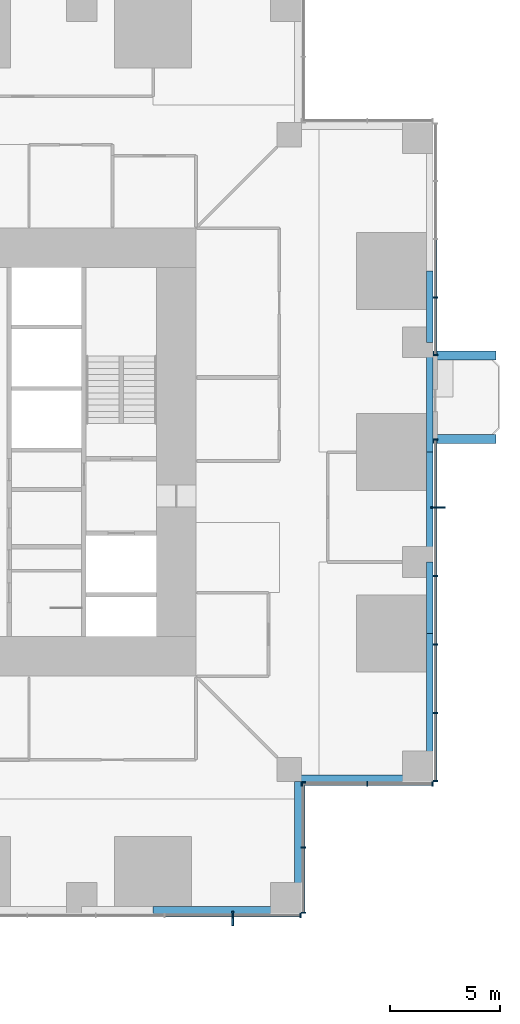
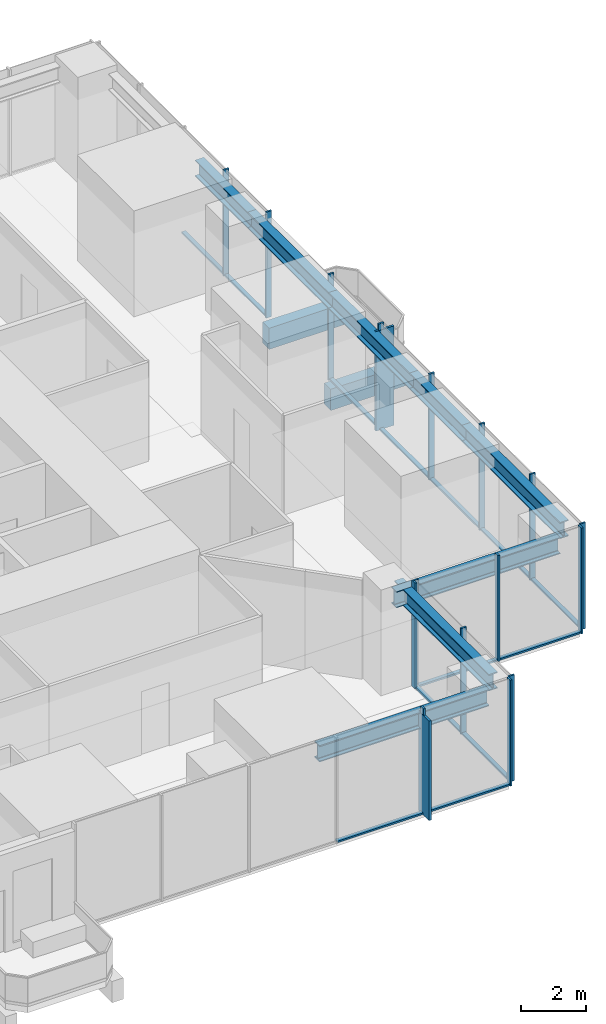
# One storey, part 4 of 17: 31 members, 10 beams, 5 elements without a shape of their own.
"""IFC4 building model written with IfcOpenShell, lengths in metres."""

from ifc_helpers import new_model, si_unit, direction, frame, origin, origin_2d, place, context, subcontext, project, spatial, rectangle, i_section, extrude, material, material_profile, profile_set, type_object, element, aggregate, save


model = new_model("IFC4")

# Units and contexts
model_context = context("Model", 3, precision=1e-05, world=origin(), true_north=direction((0.0, 1.0)))
body_context = subcontext(model_context, "Body", "Model", "MODEL_VIEW")
ifc_project = project(units=[si_unit("LENGTHUNIT", "METRE"), si_unit("AREAUNIT", "SQUARE_METRE"), si_unit("VOLUMEUNIT", "CUBIC_METRE"), si_unit("PLANEANGLEUNIT", "RADIAN"), si_unit("MASSUNIT", "GRAM", prefix="KILO")], contexts=[model_context])

# Site, building, storey
site_placement = place(None, origin())
site = spatial("IfcSite", under=ifc_project, at=site_placement, CompositionType="ELEMENT")
building_placement = place(site_placement, origin())
building = spatial("IfcBuilding", under=site, at=building_placement, Name="Svetlomir Tower", CompositionType="ELEMENT")
storey_placement = place(building_placement, frame((0.0, 0.0, 70.5)))
storey = spatial("IfcBuildingStorey", under=building, at=storey_placement, Name="L16", CompositionType="ELEMENT", Elevation=70.5)

# Beams
ifc_material_1 = material(Name="Concrete C60/75", Category="concrete")
ifc_material_profile_1 = material_profile(ifc_material_1, rectangle(XDim=0.39990234375, YDim=0.800048828125, at=origin_2d()), Name="RC 400x800")
ifc_profile_set_1 = profile_set([ifc_material_profile_1], Name="Concrete C60/75")
beam_type_1 = type_object("IfcBeamType", Name="BALCONY RIB RC 400x800", PredefinedType="BEAM", material=ifc_profile_set_1)
for number, where, z_axis, x_axis, name in (
    (1, (42.0, 21.60009765625, -0.64990234375), (1.0, 0.0, 0.0), (0.0, 1.0, 0.0), "Balcony rib E 1 L16"),
    (2, (42.0, 25.39990234375, -0.64990234375), (1.0, 0.0, 0.0), (0.0, 1.0, 0.0), "Balcony rib E 2 L16"),
):
    element("IfcBeam", number, at=place(storey_placement, frame(where, z_axis=z_axis, x_axis=x_axis)), inside=storey, type_object=beam_type_1, Name=name, PredefinedType="BEAM", context=body_context, shape_type="SweptSolid", body=[
        extrude(rectangle(XDim=0.39990234375, YDim=0.800048828125, at=origin_2d()), origin(), (0.0, 0.0, 1.0), 2.85009765625),
    ])

# Curtain wall, member
ifc_material_2 = material(Name="Bronze anodised aluminium curtain wall", Category="aluminium")
curtain_wall_type = type_object("IfcCurtainWallType", Name="CURTAIN WALL CW1 TOWER OFFICE", PredefinedType="NOTDEFINED", material=ifc_material_2)
curtain_wall_1_placement = place(storey_placement, origin())
curtain_wall_1 = element("IfcCurtainWall", 3, at=curtain_wall_1_placement, inside=storey, type_object=curtain_wall_type, Name="Curtain wall CW1 L16", PredefinedType="NOTDEFINED")
ifc_material_3 = material(Name="Bronze anodised aluminium", Category="aluminium")
ifc_material_profile_2 = material_profile(ifc_material_3, rectangle(XDim=0.080078125, YDim=0.64990234375, at=origin_2d()), Name="FIN 80x650")
ifc_profile_set_2 = profile_set([ifc_material_profile_2], Name="Bronze anodised aluminium 6063-T6")
member_type_1 = type_object("IfcMemberType", Name="BRONZE FIN 80x650", PredefinedType="USERDEFINED", material=ifc_profile_set_2)
member_1_placement = place(storey_placement, frame((32.8798828125, -0.22509765625, 0.0), z_axis=(0.0, 0.0, 1.0), x_axis=(1.0, 0.0, 0.0)))
member_1 = element("IfcMember", 4, at=member_1_placement, type_object=member_type_1, Name="Bronze fin L16", ObjectType="FIN", PredefinedType="USERDEFINED", context=body_context, shape_type="SweptSolid", body=[
    extrude(rectangle(XDim=0.080078125, YDim=0.64990234375, at=origin_2d()), origin(), (0.0, 0.0, 1.0), 3.75),
])

curtain_wall_2_placement = place(storey_placement, origin())
curtain_wall_2 = element("IfcCurtainWall", 5, at=curtain_wall_2_placement, inside=storey, type_object=curtain_wall_type, Name="Curtain wall CW1 L16", PredefinedType="NOTDEFINED")
member_2_placement = place(storey_placement, frame((42.22509765625, 18.47998046875, 0.0), z_axis=(0.0, 0.0, 1.0), x_axis=(0.0, 1.0, 0.0)))
member_2 = element("IfcMember", 6, at=member_2_placement, type_object=member_type_1, Name="Bronze fin L16", ObjectType="FIN", PredefinedType="USERDEFINED", context=body_context, shape_type="SweptSolid", body=[
    extrude(rectangle(XDim=0.080078125, YDim=0.64990234375, at=origin_2d()), origin(), (0.0, 0.0, 1.0), 3.75),
])

# Member
ifc_material_4 = material(Name="Bronze anodised aluminium", Category="aluminium")
ifc_material_profile_3 = material_profile(ifc_material_4, rectangle(XDim=0.06494140625, YDim=0.199951171875, at=origin_2d()), Name="AL 65x200")
ifc_profile_set_3 = profile_set([ifc_material_profile_3], Name="Bronze anodised aluminium 6063-T6")
member_type_2 = type_object("IfcMemberType", Name="CW1 MULLION 65x200", PredefinedType="MULLION", material=ifc_profile_set_3)
member_3_placement = place(storey_placement, frame((32.8798828125, -0.10009765625, 0.0), z_axis=(0.0, 0.0, 1.0), x_axis=(1.0, 0.0, 0.0)))
member_3 = element("IfcMember", 7, at=member_3_placement, type_object=member_type_2, Name="CW1 mullion 5", PredefinedType="MULLION", context=body_context, shape_type="SweptSolid", body=[
    extrude(rectangle(XDim=0.06494140625, YDim=0.199951171875, at=origin_2d()), origin(), (0.0, 0.0, 1.0), 4.0),
])

member_4_placement = place(storey_placement, frame((35.967529296875, -0.10009765625, 0.0), z_axis=(0.0, 0.0, 1.0), x_axis=(1.0, 0.0, 0.0)))
member_4 = element("IfcMember", 8, at=member_4_placement, type_object=member_type_2, Name="CW1 mullion 6", PredefinedType="MULLION", context=body_context, shape_type="SweptSolid", body=[
    extrude(rectangle(XDim=0.06494140625, YDim=0.199951171875, at=origin_2d()), origin(), (0.0, 0.0, 1.0), 4.0),
])

# Curtain wall, members
curtain_wall_3_placement = place(storey_placement, origin())
curtain_wall_3 = element("IfcCurtainWall", 9, at=curtain_wall_3_placement, inside=storey, type_object=curtain_wall_type, Name="Curtain wall CW1 L16", PredefinedType="NOTDEFINED")
member_5_placement = place(storey_placement, frame((36.10009765625, 0.032470703125, 0.0), z_axis=(0.0, 0.0, 1.0), x_axis=(0.0, 1.0, 0.0)))
member_5 = element("IfcMember", 10, at=member_5_placement, type_object=member_type_2, Name="CW1 mullion 1", PredefinedType="MULLION", context=body_context, shape_type="SweptSolid", body=[
    extrude(rectangle(XDim=0.06494140625, YDim=0.199951171875, at=origin_2d()), origin(), (0.0, 0.0, 1.0), 4.0),
])
member_6_placement = place(storey_placement, frame((36.10009765625, 3.0, 0.0), z_axis=(0.0, 0.0, 1.0), x_axis=(0.0, 1.0, 0.0)))
member_6 = element("IfcMember", 11, at=member_6_placement, type_object=member_type_2, Name="CW1 mullion 2", PredefinedType="MULLION", context=body_context, shape_type="SweptSolid", body=[
    extrude(rectangle(XDim=0.06494140625, YDim=0.199951171875, at=origin_2d()), origin(), (0.0, 0.0, 1.0), 4.0),
])
member_7_placement = place(storey_placement, frame((36.10009765625, 5.967529296875, 0.0), z_axis=(0.0, 0.0, 1.0), x_axis=(0.0, 1.0, 0.0)))
member_7 = element("IfcMember", 12, at=member_7_placement, type_object=member_type_2, Name="CW1 mullion 3", PredefinedType="MULLION", context=body_context, shape_type="SweptSolid", body=[
    extrude(rectangle(XDim=0.06494140625, YDim=0.199951171875, at=origin_2d()), origin(), (0.0, 0.0, 1.0), 4.0),
])

curtain_wall_4_placement = place(storey_placement, origin())
curtain_wall_4 = element("IfcCurtainWall", 13, at=curtain_wall_4_placement, inside=storey, type_object=curtain_wall_type, Name="Curtain wall CW1 L16", PredefinedType="NOTDEFINED")
member_8_placement = place(storey_placement, frame((36.032470703125, 5.89990234375, 0.0), z_axis=(0.0, 0.0, 1.0), x_axis=(1.0, 0.0, 0.0)))
member_8 = element("IfcMember", 14, at=member_8_placement, type_object=member_type_2, Name="CW1 mullion 1", PredefinedType="MULLION", context=body_context, shape_type="SweptSolid", body=[
    extrude(rectangle(XDim=0.06494140625, YDim=0.199951171875, at=origin_2d()), origin(), (0.0, 0.0, 1.0), 4.0),
])
member_9_placement = place(storey_placement, frame((39.0, 5.89990234375, 0.0), z_axis=(0.0, 0.0, 1.0), x_axis=(1.0, 0.0, 0.0)))
member_9 = element("IfcMember", 15, at=member_9_placement, type_object=member_type_2, Name="CW1 mullion 2", PredefinedType="MULLION", context=body_context, shape_type="SweptSolid", body=[
    extrude(rectangle(XDim=0.06494140625, YDim=0.199951171875, at=origin_2d()), origin(), (0.0, 0.0, 1.0), 4.0),
])
member_10_placement = place(storey_placement, frame((41.967529296875, 5.89990234375, 0.0), z_axis=(0.0, 0.0, 1.0), x_axis=(1.0, 0.0, 0.0)))
member_10 = element("IfcMember", 16, at=member_10_placement, type_object=member_type_2, Name="CW1 mullion 3", PredefinedType="MULLION", context=body_context, shape_type="SweptSolid", body=[
    extrude(rectangle(XDim=0.06494140625, YDim=0.199951171875, at=origin_2d()), origin(), (0.0, 0.0, 1.0), 4.0),
])

# Member
member_11_placement = place(storey_placement, frame((42.10009765625, 6.032470703125, 0.0), z_axis=(0.0, 0.0, 1.0), x_axis=(0.0, 1.0, 0.0)))
member_11 = element("IfcMember", 17, at=member_11_placement, type_object=member_type_2, Name="CW1 mullion 1", PredefinedType="MULLION", context=body_context, shape_type="SweptSolid", body=[
    extrude(rectangle(XDim=0.06494140625, YDim=0.199951171875, at=origin_2d()), origin(), (0.0, 0.0, 1.0), 4.0),
])

member_12_placement = place(storey_placement, frame((42.10009765625, 9.1201171875, 0.0), z_axis=(0.0, 0.0, 1.0), x_axis=(0.0, 1.0, 0.0)))
member_12 = element("IfcMember", 18, at=member_12_placement, type_object=member_type_2, Name="CW1 mullion 2", PredefinedType="MULLION", context=body_context, shape_type="SweptSolid", body=[
    extrude(rectangle(XDim=0.06494140625, YDim=0.199951171875, at=origin_2d()), origin(), (0.0, 0.0, 1.0), 4.0),
])

member_13_placement = place(storey_placement, frame((42.10009765625, 12.239990234375, 0.0), z_axis=(0.0, 0.0, 1.0), x_axis=(0.0, 1.0, 0.0)))
member_13 = element("IfcMember", 19, at=member_13_placement, type_object=member_type_2, Name="CW1 mullion 3", PredefinedType="MULLION", context=body_context, shape_type="SweptSolid", body=[
    extrude(rectangle(XDim=0.06494140625, YDim=0.199951171875, at=origin_2d()), origin(), (0.0, 0.0, 1.0), 4.0),
])

member_14_placement = place(storey_placement, frame((42.10009765625, 15.360107421875, 0.0), z_axis=(0.0, 0.0, 1.0), x_axis=(0.0, 1.0, 0.0)))
member_14 = element("IfcMember", 20, at=member_14_placement, type_object=member_type_2, Name="CW1 mullion 4", PredefinedType="MULLION", context=body_context, shape_type="SweptSolid", body=[
    extrude(rectangle(XDim=0.06494140625, YDim=0.199951171875, at=origin_2d()), origin(), (0.0, 0.0, 1.0), 4.0),
])

member_15_placement = place(storey_placement, frame((42.10009765625, 18.47998046875, 0.0), z_axis=(0.0, 0.0, 1.0), x_axis=(0.0, 1.0, 0.0)))
member_15 = element("IfcMember", 21, at=member_15_placement, type_object=member_type_2, Name="CW1 mullion 5", PredefinedType="MULLION", context=body_context, shape_type="SweptSolid", body=[
    extrude(rectangle(XDim=0.06494140625, YDim=0.199951171875, at=origin_2d()), origin(), (0.0, 0.0, 1.0), 4.0),
])

member_16_placement = place(storey_placement, frame((42.10009765625, 21.5673828125, 0.0), z_axis=(0.0, 0.0, 1.0), x_axis=(0.0, 1.0, 0.0)))
member_16 = element("IfcMember", 22, at=member_16_placement, type_object=member_type_2, Name="CW1 mullion 6", PredefinedType="MULLION", context=body_context, shape_type="SweptSolid", body=[
    extrude(rectangle(XDim=0.06494140625, YDim=0.199951171875, at=origin_2d()), origin(), (0.0, 0.0, 1.0), 4.0),
])

# Curtain wall, members
curtain_wall_5_placement = place(storey_placement, origin())
curtain_wall_5 = element("IfcCurtainWall", 23, at=curtain_wall_5_placement, inside=storey, type_object=curtain_wall_type, Name="Curtain wall CW1 L16", PredefinedType="NOTDEFINED")
member_17_placement = place(storey_placement, frame((42.10009765625, 25.4326171875, 0.0), z_axis=(0.0, 0.0, 1.0), x_axis=(0.0, 1.0, 0.0)))
member_17 = element("IfcMember", 24, at=member_17_placement, type_object=member_type_2, Name="CW1 mullion 1", PredefinedType="MULLION", context=body_context, shape_type="SweptSolid", body=[
    extrude(rectangle(XDim=0.06494140625, YDim=0.199951171875, at=origin_2d()), origin(), (0.0, 0.0, 1.0), 4.0),
])
member_18_placement = place(storey_placement, frame((42.10009765625, 28.050048828125, 0.0), z_axis=(0.0, 0.0, 1.0), x_axis=(0.0, 1.0, 0.0)))
member_18 = element("IfcMember", 25, at=member_18_placement, type_object=member_type_2, Name="CW1 mullion 2", PredefinedType="MULLION", context=body_context, shape_type="SweptSolid", body=[
    extrude(rectangle(XDim=0.06494140625, YDim=0.199951171875, at=origin_2d()), origin(), (0.0, 0.0, 1.0), 4.0),
])

# Member
ifc_material_5 = material(Name="Bronze anodised aluminium", Category="aluminium")
ifc_material_profile_4 = material_profile(ifc_material_5, rectangle(XDim=0.139892578125, YDim=0.06494140625, at=origin_2d()), Name="AL 140x65")
ifc_profile_set_4 = profile_set([ifc_material_profile_4], Name="Bronze anodised aluminium 6063-T6")
member_type_3 = type_object("IfcMemberType", Name="CW1 TRANSOM 65x140", PredefinedType="USERDEFINED", material=ifc_profile_set_4)
member_19_placement = place(storey_placement, frame((29.79248046875, -0.10009765625, 0.032470703125), z_axis=(1.0, 0.0, 0.0), x_axis=(0.0, 1.0, 0.0)))
member_19 = element("IfcMember", 26, at=member_19_placement, type_object=member_type_3, Name="CW1 transom 4.1", ObjectType="TRANSOM", PredefinedType="USERDEFINED", context=body_context, shape_type="SweptSolid", body=[
    extrude(rectangle(XDim=0.139892578125, YDim=0.06494140625, at=origin_2d()), origin(), (0.0, 0.0, 1.0), 3.054931640625),
])

member_20_placement = place(storey_placement, frame((32.91259765625, -0.10009765625, 0.032470703125), z_axis=(1.0, 0.0, 0.0), x_axis=(0.0, 1.0, 0.0)))
member_20 = element("IfcMember", 27, at=member_20_placement, type_object=member_type_3, Name="CW1 transom 5.1", ObjectType="TRANSOM", PredefinedType="USERDEFINED", context=body_context, shape_type="SweptSolid", body=[
    extrude(rectangle(XDim=0.139892578125, YDim=0.06494140625, at=origin_2d()), origin(), (0.0, 0.0, 1.0), 3.0224609375),
])

aggregate(curtain_wall_1, [member_3, member_4, member_19, member_20, member_1])

member_21_placement = place(storey_placement, frame((36.10009765625, 0.06494140625, 0.032470703125), z_axis=(0.0, 1.0, 0.0), x_axis=(-1.0, 0.0, 0.0)))
member_21 = element("IfcMember", 28, at=member_21_placement, type_object=member_type_3, Name="CW1 transom 1.1", ObjectType="TRANSOM", PredefinedType="USERDEFINED", context=body_context, shape_type="SweptSolid", body=[
    extrude(rectangle(XDim=0.139892578125, YDim=0.06494140625, at=origin_2d()), origin(), (0.0, 0.0, 1.0), 2.902587890625),
])

member_22_placement = place(storey_placement, frame((36.10009765625, 3.032470703125, 0.032470703125), z_axis=(0.0, 1.0, 0.0), x_axis=(-1.0, 0.0, 0.0)))
member_22 = element("IfcMember", 29, at=member_22_placement, type_object=member_type_3, Name="CW1 transom 2.1", ObjectType="TRANSOM", PredefinedType="USERDEFINED", context=body_context, shape_type="SweptSolid", body=[
    extrude(rectangle(XDim=0.139892578125, YDim=0.06494140625, at=origin_2d()), origin(), (0.0, 0.0, 1.0), 2.902587890625),
])

aggregate(curtain_wall_3, [member_5, member_6, member_7, member_21, member_22])

member_23_placement = place(storey_placement, frame((36.06494140625, 5.89990234375, 0.032470703125), z_axis=(1.0, 0.0, 0.0), x_axis=(0.0, 1.0, 0.0)))
member_23 = element("IfcMember", 30, at=member_23_placement, type_object=member_type_3, Name="CW1 transom 1.1", ObjectType="TRANSOM", PredefinedType="USERDEFINED", context=body_context, shape_type="SweptSolid", body=[
    extrude(rectangle(XDim=0.139892578125, YDim=0.06494140625, at=origin_2d()), origin(), (0.0, 0.0, 1.0), 2.902587890625),
])

member_24_placement = place(storey_placement, frame((39.032470703125, 5.89990234375, 0.032470703125), z_axis=(1.0, 0.0, 0.0), x_axis=(0.0, 1.0, 0.0)))
member_24 = element("IfcMember", 31, at=member_24_placement, type_object=member_type_3, Name="CW1 transom 2.1", ObjectType="TRANSOM", PredefinedType="USERDEFINED", context=body_context, shape_type="SweptSolid", body=[
    extrude(rectangle(XDim=0.139892578125, YDim=0.06494140625, at=origin_2d()), origin(), (0.0, 0.0, 1.0), 2.902587890625),
])

aggregate(curtain_wall_4, [member_8, member_9, member_10, member_23, member_24])

member_25_placement = place(storey_placement, frame((42.10009765625, 6.06494140625, 0.032470703125), z_axis=(0.0, 1.0, 0.0), x_axis=(-1.0, 0.0, 0.0)))
member_25 = element("IfcMember", 32, at=member_25_placement, type_object=member_type_3, Name="CW1 transom 1.1", ObjectType="TRANSOM", PredefinedType="USERDEFINED", context=body_context, shape_type="SweptSolid", body=[
    extrude(rectangle(XDim=0.139892578125, YDim=0.06494140625, at=origin_2d()), origin(), (0.0, 0.0, 1.0), 3.0224609375),
])

member_26_placement = place(storey_placement, frame((42.10009765625, 9.152587890625, 0.032470703125), z_axis=(0.0, 1.0, 0.0), x_axis=(-1.0, 0.0, 0.0)))
member_26 = element("IfcMember", 33, at=member_26_placement, type_object=member_type_3, Name="CW1 transom 2.1", ObjectType="TRANSOM", PredefinedType="USERDEFINED", context=body_context, shape_type="SweptSolid", body=[
    extrude(rectangle(XDim=0.139892578125, YDim=0.06494140625, at=origin_2d()), origin(), (0.0, 0.0, 1.0), 3.054931640625),
])

member_27_placement = place(storey_placement, frame((42.10009765625, 12.2724609375, 0.032470703125), z_axis=(0.0, 1.0, 0.0), x_axis=(-1.0, 0.0, 0.0)))
member_27 = element("IfcMember", 34, at=member_27_placement, type_object=member_type_3, Name="CW1 transom 3.1", ObjectType="TRANSOM", PredefinedType="USERDEFINED", context=body_context, shape_type="SweptSolid", body=[
    extrude(rectangle(XDim=0.139892578125, YDim=0.06494140625, at=origin_2d()), origin(), (0.0, 0.0, 1.0), 3.054931640625),
])

member_28_placement = place(storey_placement, frame((42.10009765625, 15.392578125, 0.032470703125), z_axis=(0.0, 1.0, 0.0), x_axis=(-1.0, 0.0, 0.0)))
member_28 = element("IfcMember", 35, at=member_28_placement, type_object=member_type_3, Name="CW1 transom 4.1", ObjectType="TRANSOM", PredefinedType="USERDEFINED", context=body_context, shape_type="SweptSolid", body=[
    extrude(rectangle(XDim=0.139892578125, YDim=0.06494140625, at=origin_2d()), origin(), (0.0, 0.0, 1.0), 3.054931640625),
])

member_29_placement = place(storey_placement, frame((42.10009765625, 18.512451171875, 0.032470703125), z_axis=(0.0, 1.0, 0.0), x_axis=(-1.0, 0.0, 0.0)))
member_29 = element("IfcMember", 36, at=member_29_placement, type_object=member_type_3, Name="CW1 transom 5.1", ObjectType="TRANSOM", PredefinedType="USERDEFINED", context=body_context, shape_type="SweptSolid", body=[
    extrude(rectangle(XDim=0.139892578125, YDim=0.06494140625, at=origin_2d()), origin(), (0.0, 0.0, 1.0), 3.0224609375),
])

aggregate(curtain_wall_2, [member_11, member_12, member_13, member_14, member_15, member_16, member_25, member_26, member_27, member_28, member_29, member_2])

member_30_placement = place(storey_placement, frame((42.10009765625, 25.465087890625, 0.032470703125), z_axis=(0.0, 1.0, 0.0), x_axis=(-1.0, 0.0, 0.0)))
member_30 = element("IfcMember", 37, at=member_30_placement, type_object=member_type_3, Name="CW1 transom 1.1", ObjectType="TRANSOM", PredefinedType="USERDEFINED", context=body_context, shape_type="SweptSolid", body=[
    extrude(rectangle(XDim=0.139892578125, YDim=0.06494140625, at=origin_2d()), origin(), (0.0, 0.0, 1.0), 2.552490234375),
])

member_31_placement = place(storey_placement, frame((42.10009765625, 28.08251953125, 0.032470703125), z_axis=(0.0, 1.0, 0.0), x_axis=(-1.0, 0.0, 0.0)))
member_31 = element("IfcMember", 38, at=member_31_placement, type_object=member_type_3, Name="CW1 transom 2.1", ObjectType="TRANSOM", PredefinedType="USERDEFINED", context=body_context, shape_type="SweptSolid", body=[
    extrude(rectangle(XDim=0.139892578125, YDim=0.06494140625, at=origin_2d()), origin(), (0.0, 0.0, 1.0), 2.5849609375),
])

aggregate(curtain_wall_5, [member_17, member_18, member_30, member_31])

# Beams
ifc_material_6 = material(Name="Steel S355", Category="steel")
ifc_material_profile_5 = material_profile(ifc_material_6, i_section(OverallWidth=0.304931640625, OverallDepth=0.6201171875, WebThickness=0.02099609375, FlangeThickness=0.0400390625, FilletRadius=0.027099609375, at=origin_2d()), Name="HEM 600")
ifc_profile_set_5 = profile_set([ifc_material_profile_5], Name="Steel S355")
beam_type_2 = type_object("IfcBeamType", Name="EDGE BEAM HEM 600", PredefinedType="SPANDREL", material=ifc_profile_set_5)
beam_1_placement = place(storey_placement, frame((41.847412109375, 6.699951171875, 3.43994140625), z_axis=(0.0, 1.0, 0.0), x_axis=(-1.0, 0.0, 0.0)))
element("IfcBeam", 39, at=beam_1_placement, inside=storey, type_object=beam_type_2, Name="Edge beam 42/6 to 42/11 under L17", PredefinedType="SPANDREL", context=body_context, shape_type="SweptSolid", body=[
    extrude(i_section(OverallWidth=0.304931640625, OverallDepth=0.6201171875, WebThickness=0.02099609375, FlangeThickness=0.0400390625, FilletRadius=0.027099609375, at=origin_2d()), origin(), (0.0, 0.0, 1.0), 6.050048828125),
])
beam_2_placement = place(storey_placement, frame((41.847412109375, 12.75, 3.43994140625), z_axis=(0.0, 1.0, 0.0), x_axis=(-1.0, 0.0, 0.0)))
element("IfcBeam", 40, at=beam_2_placement, inside=storey, type_object=beam_type_2, Name="Edge beam 42/11 to 42/16 under L17", PredefinedType="SPANDREL", context=body_context, shape_type="SweptSolid", body=[
    extrude(i_section(OverallWidth=0.304931640625, OverallDepth=0.6201171875, WebThickness=0.02099609375, FlangeThickness=0.0400390625, FilletRadius=0.027099609375, at=origin_2d()), origin(), (0.0, 0.0, 1.0), 3.25),
])
for number, where, z_axis, x_axis, name in (
    (41, (41.847412109375, 16.0, 3.43994140625), (0.0, 1.0, 0.0), (-1.0, 0.0, 0.0), "Edge beam 42/16 to 42/21 under L17"),
    (42, (41.847412109375, 21.0, 3.43994140625), (0.0, 1.0, 0.0), (-1.0, 0.0, 0.0), "Edge beam 42/21 to 42/26 under L17"),
):
    element("IfcBeam", number, at=place(storey_placement, frame(where, z_axis=z_axis, x_axis=x_axis)), inside=storey, type_object=beam_type_2, Name=name, PredefinedType="SPANDREL", context=body_context, shape_type="SweptSolid", body=[
        extrude(i_section(OverallWidth=0.304931640625, OverallDepth=0.6201171875, WebThickness=0.02099609375, FlangeThickness=0.0400390625, FilletRadius=0.027099609375, at=origin_2d()), origin(), (0.0, 0.0, 1.0), 5.0),
    ])
beam_3_placement = place(storey_placement, frame((41.847412109375, 26.0, 3.43994140625), z_axis=(0.0, 1.0, 0.0), x_axis=(-1.0, 0.0, 0.0)))
element("IfcBeam", 43, at=beam_3_placement, inside=storey, type_object=beam_type_2, Name="Edge beam 42/26 to 42/31 under L17", PredefinedType="SPANDREL", context=body_context, shape_type="SweptSolid", body=[
    extrude(i_section(OverallWidth=0.304931640625, OverallDepth=0.6201171875, WebThickness=0.02099609375, FlangeThickness=0.0400390625, FilletRadius=0.027099609375, at=origin_2d()), origin(), (0.0, 0.0, 1.0), 3.25),
])
beam_4_placement = place(storey_placement, frame((29.25, 0.152587890625, 3.43994140625), z_axis=(1.0, 0.0, 0.0), x_axis=(0.0, 1.0, 0.0)))
element("IfcBeam", 44, at=beam_4_placement, inside=storey, type_object=beam_type_2, Name="Edge beam 31/0 to 36/0 under L17", PredefinedType="SPANDREL", context=body_context, shape_type="SweptSolid", body=[
    extrude(i_section(OverallWidth=0.304931640625, OverallDepth=0.6201171875, WebThickness=0.02099609375, FlangeThickness=0.0400390625, FilletRadius=0.027099609375, at=origin_2d()), origin(), (0.0, 0.0, 1.0), 6.050048828125),
])
for number, where, z_axis, x_axis, name in (
    (45, (35.847412109375, 0.699951171875, 3.43994140625), (0.0, 1.0, 0.0), (-1.0, 0.0, 0.0), "Edge beam 36/0 to 36/6 under L17"),
    (46, (41.300048828125, 6.152587890625, 3.43994140625), (-1.0, 0.0, 0.0), (0.0, -1.0, 0.0), "Edge beam 42/6 to 36/6 under L17"),
):
    element("IfcBeam", number, at=place(storey_placement, frame(where, z_axis=z_axis, x_axis=x_axis)), inside=storey, type_object=beam_type_2, Name=name, PredefinedType="SPANDREL", context=body_context, shape_type="SweptSolid", body=[
        extrude(i_section(OverallWidth=0.304931640625, OverallDepth=0.6201171875, WebThickness=0.02099609375, FlangeThickness=0.0400390625, FilletRadius=0.027099609375, at=origin_2d()), origin(), (0.0, 0.0, 1.0), 5.85009765625),
    ])

save(model, "model.ifc")
